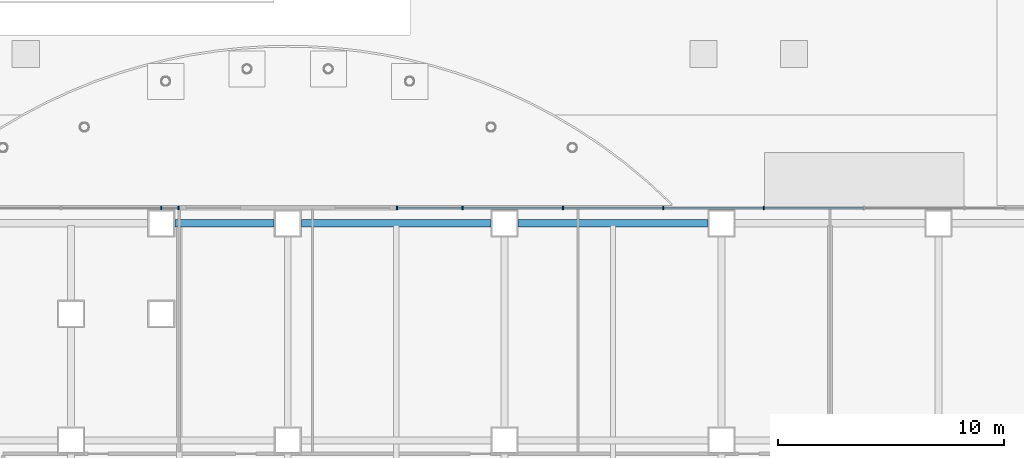
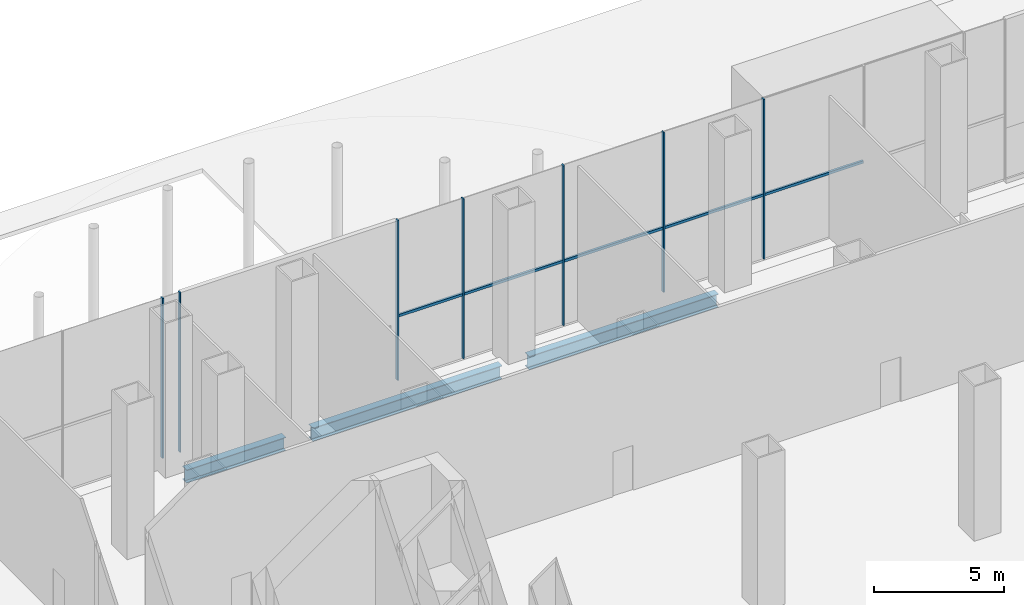
# One storey, part 16 of 36: 12 members, 3 beams, 2 elements without a shape of their own.
"""IFC4 building model written with IfcOpenShell, lengths in metres."""

from ifc_helpers import new_model, si_unit, direction, frame, origin, origin_2d, place, context, subcontext, project, spatial, rectangle, i_section, extrude, material, material_profile, profile_set, type_object, element, aggregate, save


model = new_model("IFC4")

# Units and contexts
model_context = context("Model", 3, precision=1e-05, world=origin(), true_north=direction((0.0, 1.0)))
body_context = subcontext(model_context, "Body", "Model", "MODEL_VIEW")
ifc_project = project(units=[si_unit("LENGTHUNIT", "METRE"), si_unit("AREAUNIT", "SQUARE_METRE"), si_unit("VOLUMEUNIT", "CUBIC_METRE"), si_unit("PLANEANGLEUNIT", "RADIAN"), si_unit("MASSUNIT", "GRAM", prefix="KILO")], contexts=[model_context])

# Site, building, storey
site_placement = place(None, origin())
site = spatial("IfcSite", under=ifc_project, at=site_placement, CompositionType="ELEMENT")
building_placement = place(site_placement, origin())
building = spatial("IfcBuilding", under=site, at=building_placement, Name="Cobrizo Arcos Hotel Tower", CompositionType="ELEMENT")
storey_placement = place(building_placement, origin())
storey = spatial("IfcBuildingStorey", under=building, at=storey_placement, Name="L00", CompositionType="ELEMENT", Elevation=0.0)

# Curtain wall, members
ifc_material_1 = material(Name="Aluminium 6063-T6 anodised bronze", Category="aluminium")
curtain_wall_type = type_object("IfcCurtainWallType", Name="CW-A guest facade", PredefinedType="NOTDEFINED", material=ifc_material_1)
curtain_wall_1_placement = place(storey_placement, origin())
curtain_wall_1 = element("IfcCurtainWall", 1, at=curtain_wall_1_placement, inside=storey, type_object=curtain_wall_type, Name="CW-A L00 N face", PredefinedType="NOTDEFINED")
ifc_material_profile_1 = material_profile(ifc_material_1, rectangle(XDim=0.14990234375, YDim=0.06005859375, at=origin_2d()), Name="CW-A mullion 150x60")
ifc_profile_set_1 = profile_set([ifc_material_profile_1], Name="Aluminium 6063-T6 anodised bronze")
member_type_1 = type_object("IfcMemberType", Name="CW-A mullion 150x60", PredefinedType="MULLION", material=ifc_profile_set_1)
member_1_placement = place(storey_placement, frame((6.666748046875, 24.675048828125, 0.0), z_axis=(0.0, 0.0, 1.0), x_axis=(0.0, 1.0, 0.0)))
member_1 = element("IfcMember", 2, at=member_1_placement, type_object=member_type_1, Name="CW-A mullion 4", PredefinedType="MULLION", context=body_context, shape_type="SweptSolid", body=[
    extrude(rectangle(XDim=0.14990234375, YDim=0.06005859375, at=origin_2d()), origin(), (0.0, 0.0, 1.0), 7.5),
])
member_2_placement = place(storey_placement, frame((2.22216796875, 24.675048828125, 0.0), z_axis=(0.0, 0.0, 1.0), x_axis=(0.0, 1.0, 0.0)))
member_2 = element("IfcMember", 3, at=member_2_placement, type_object=member_type_1, Name="CW-A mullion 5", PredefinedType="MULLION", context=body_context, shape_type="SweptSolid", body=[
    extrude(rectangle(XDim=0.14990234375, YDim=0.06005859375, at=origin_2d()), origin(), (0.0, 0.0, 1.0), 7.5),
])
member_3_placement = place(storey_placement, frame((-2.22216796875, 24.675048828125, 0.0), z_axis=(0.0, 0.0, 1.0), x_axis=(0.0, 1.0, 0.0)))
member_3 = element("IfcMember", 4, at=member_3_placement, type_object=member_type_1, Name="CW-A mullion 6", PredefinedType="MULLION", context=body_context, shape_type="SweptSolid", body=[
    extrude(rectangle(XDim=0.14990234375, YDim=0.06005859375, at=origin_2d()), origin(), (0.0, 0.0, 1.0), 7.5),
])
member_4_placement = place(storey_placement, frame((-6.666748046875, 24.675048828125, 0.0), z_axis=(0.0, 0.0, 1.0), x_axis=(0.0, 1.0, 0.0)))
member_4 = element("IfcMember", 5, at=member_4_placement, type_object=member_type_1, Name="CW-A mullion 7", PredefinedType="MULLION", context=body_context, shape_type="SweptSolid", body=[
    extrude(rectangle(XDim=0.14990234375, YDim=0.06005859375, at=origin_2d()), origin(), (0.0, 0.0, 1.0), 7.5),
])
member_5_placement = place(storey_placement, frame((-9.570068359375, 24.675048828125, 0.0), z_axis=(0.0, 0.0, 1.0), x_axis=(0.0, 1.0, 0.0)))
member_5 = element("IfcMember", 6, at=member_5_placement, type_object=member_type_1, Name="CW-A mullion 8", PredefinedType="MULLION", context=body_context, shape_type="SweptSolid", body=[
    extrude(rectangle(XDim=0.14990234375, YDim=0.06005859375, at=origin_2d()), origin(), (0.0, 0.0, 1.0), 7.5),
])

curtain_wall_2_placement = place(storey_placement, origin())
curtain_wall_2 = element("IfcCurtainWall", 7, at=curtain_wall_2_placement, inside=storey, type_object=curtain_wall_type, Name="CW-A L00 N face", PredefinedType="NOTDEFINED")
member_6_placement = place(storey_placement, frame((-19.22998046875, 24.675048828125, 0.0), z_axis=(0.0, 0.0, 1.0), x_axis=(0.0, 1.0, 0.0)))
member_6 = element("IfcMember", 8, at=member_6_placement, type_object=member_type_1, Name="CW-A mullion 1", PredefinedType="MULLION", context=body_context, shape_type="SweptSolid", body=[
    extrude(rectangle(XDim=0.14990234375, YDim=0.06005859375, at=origin_2d()), origin(), (0.0, 0.0, 1.0), 7.5),
])
member_7_placement = place(storey_placement, frame((-20.0, 24.675048828125, 0.0), z_axis=(0.0, 0.0, 1.0), x_axis=(0.0, 1.0, 0.0)))
member_7 = element("IfcMember", 9, at=member_7_placement, type_object=member_type_1, Name="CW-A mullion 2", PredefinedType="MULLION", context=body_context, shape_type="SweptSolid", body=[
    extrude(rectangle(XDim=0.14990234375, YDim=0.06005859375, at=origin_2d()), origin(), (0.0, 0.0, 1.0), 7.5),
])
aggregate(curtain_wall_2, [member_6, member_7])

# Member
ifc_material_profile_2 = material_profile(ifc_material_1, rectangle(XDim=0.10009765625, YDim=0.1201171875, at=origin_2d()), Name="CW-A transom 120x100")
ifc_profile_set_2 = profile_set([ifc_material_profile_2], Name="Aluminium 6063-T6 anodised bronze")
member_type_2 = type_object("IfcMemberType", Name="CW-A transom 120x100", PredefinedType="USERDEFINED", material=ifc_profile_set_2)
member_8_placement = place(storey_placement, frame((11.0810546875, 24.675048828125, 3.0), z_axis=(-1.0, 0.0, 0.0), x_axis=(0.0, -1.0, 0.0)))
member_8 = element("IfcMember", 10, at=member_8_placement, type_object=member_type_2, Name="CW-A transom 17", ObjectType="TRANSOM", PredefinedType="USERDEFINED", context=body_context, shape_type="SweptSolid", body=[
    extrude(rectangle(XDim=0.10009765625, YDim=0.1201171875, at=origin_2d()), origin(), (0.0, 0.0, 1.0), 4.38427734375),
])

member_9_placement = place(storey_placement, frame((6.63671875, 24.675048828125, 3.0), z_axis=(-1.0, 0.0, 0.0), x_axis=(0.0, -1.0, 0.0)))
member_9 = element("IfcMember", 11, at=member_9_placement, type_object=member_type_2, Name="CW-A transom 18", ObjectType="TRANSOM", PredefinedType="USERDEFINED", context=body_context, shape_type="SweptSolid", body=[
    extrude(rectangle(XDim=0.10009765625, YDim=0.1201171875, at=origin_2d()), origin(), (0.0, 0.0, 1.0), 4.384521484375),
])

member_10_placement = place(storey_placement, frame((2.192138671875, 24.675048828125, 3.0), z_axis=(-1.0, 0.0, 0.0), x_axis=(0.0, -1.0, 0.0)))
member_10 = element("IfcMember", 12, at=member_10_placement, type_object=member_type_2, Name="CW-A transom 19", ObjectType="TRANSOM", PredefinedType="USERDEFINED", context=body_context, shape_type="SweptSolid", body=[
    extrude(rectangle(XDim=0.10009765625, YDim=0.1201171875, at=origin_2d()), origin(), (0.0, 0.0, 1.0), 4.38427734375),
])

member_11_placement = place(storey_placement, frame((-2.252197265625, 24.675048828125, 3.0), z_axis=(-1.0, 0.0, 0.0), x_axis=(0.0, -1.0, 0.0)))
member_11 = element("IfcMember", 13, at=member_11_placement, type_object=member_type_2, Name="CW-A transom 20", ObjectType="TRANSOM", PredefinedType="USERDEFINED", context=body_context, shape_type="SweptSolid", body=[
    extrude(rectangle(XDim=0.10009765625, YDim=0.1201171875, at=origin_2d()), origin(), (0.0, 0.0, 1.0), 4.384521484375),
])

member_12_placement = place(storey_placement, frame((-6.69677734375, 24.675048828125, 3.0), z_axis=(-1.0, 0.0, 0.0), x_axis=(0.0, -1.0, 0.0)))
member_12 = element("IfcMember", 14, at=member_12_placement, type_object=member_type_2, Name="CW-A transom 21", ObjectType="TRANSOM", PredefinedType="USERDEFINED", context=body_context, shape_type="SweptSolid", body=[
    extrude(rectangle(XDim=0.10009765625, YDim=0.1201171875, at=origin_2d()), origin(), (0.0, 0.0, 1.0), 2.84326171875),
])

aggregate(curtain_wall_1, [member_1, member_2, member_3, member_4, member_5, member_8, member_9, member_10, member_11, member_12])

# Beams
ifc_material_2 = material(Name="Steel ASTM A992 Grade 50", Category="steel")
ifc_material_profile_3 = material_profile(ifc_material_2, i_section(OverallWidth=0.32763671875, OverallDepth=0.622314453125, WebThickness=0.015380859375, FlangeThickness=0.0244140625, at=origin_2d()), Name="W24X131")
ifc_profile_set_3 = profile_set([ifc_material_profile_3], Name="Steel ASTM A992 Grade 50")
beam_type = type_object("IfcBeamType", Name="W24X131 spandrel", PredefinedType="SPANDREL", material=ifc_profile_set_3)
beam_1_placement = place(storey_placement, frame((4.199951171875, 24.0, -0.611083984375), z_axis=(-1.0, 0.0, 0.0), x_axis=(0.0, -1.0, 0.0)))
element("IfcBeam", 15, at=beam_1_placement, inside=storey, type_object=beam_type, Name="Spandrel beam W24X131, L00, no. 004", PredefinedType="SPANDREL", context=body_context, shape_type="SweptSolid", body=[
    extrude(i_section(OverallWidth=0.32763671875, OverallDepth=0.622314453125, WebThickness=0.015380859375, FlangeThickness=0.0244140625, at=origin_2d()), origin(), (0.0, 0.0, 1.0), 8.39990234375),
])
beam_2_placement = place(storey_placement, frame((-5.39990234375, 24.0, -0.611083984375), z_axis=(-1.0, 0.0, 0.0), x_axis=(0.0, -1.0, 0.0)))
element("IfcBeam", 16, at=beam_2_placement, inside=storey, type_object=beam_type, Name="Spandrel beam W24X131, L00, no. 005", PredefinedType="SPANDREL", context=body_context, shape_type="SweptSolid", body=[
    extrude(i_section(OverallWidth=0.32763671875, OverallDepth=0.622314453125, WebThickness=0.015380859375, FlangeThickness=0.0244140625, at=origin_2d()), origin(), (0.0, 0.0, 1.0), 8.400146484375),
])
beam_3_placement = place(storey_placement, frame((-15.0, 24.0, -0.611083984375), z_axis=(-1.0, 0.0, 0.0), x_axis=(0.0, -1.0, 0.0)))
element("IfcBeam", 17, at=beam_3_placement, inside=storey, type_object=beam_type, Name="Spandrel beam W24X131, L00, no. 006", PredefinedType="SPANDREL", context=body_context, shape_type="SweptSolid", body=[
    extrude(i_section(OverallWidth=0.32763671875, OverallDepth=0.622314453125, WebThickness=0.015380859375, FlangeThickness=0.0244140625, at=origin_2d()), origin(), (0.0, 0.0, 1.0), 4.39990234375),
])

save(model, "model.ifc")
